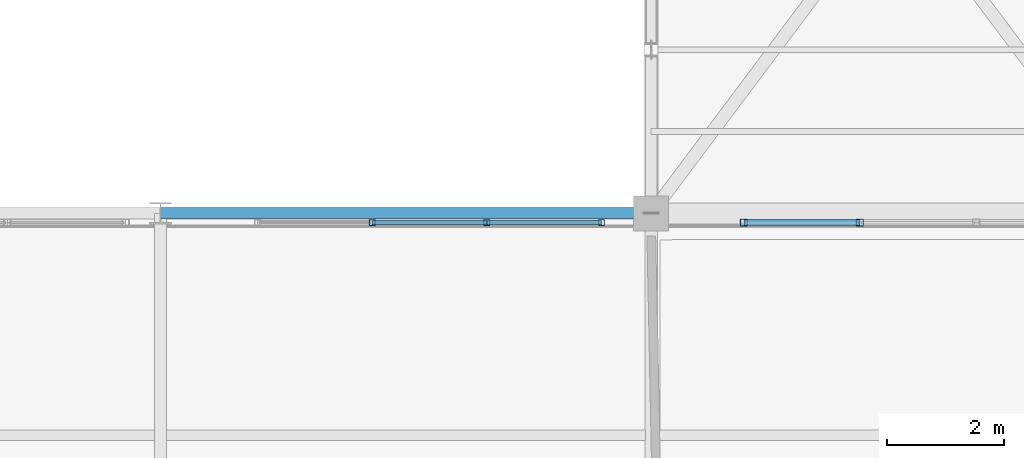
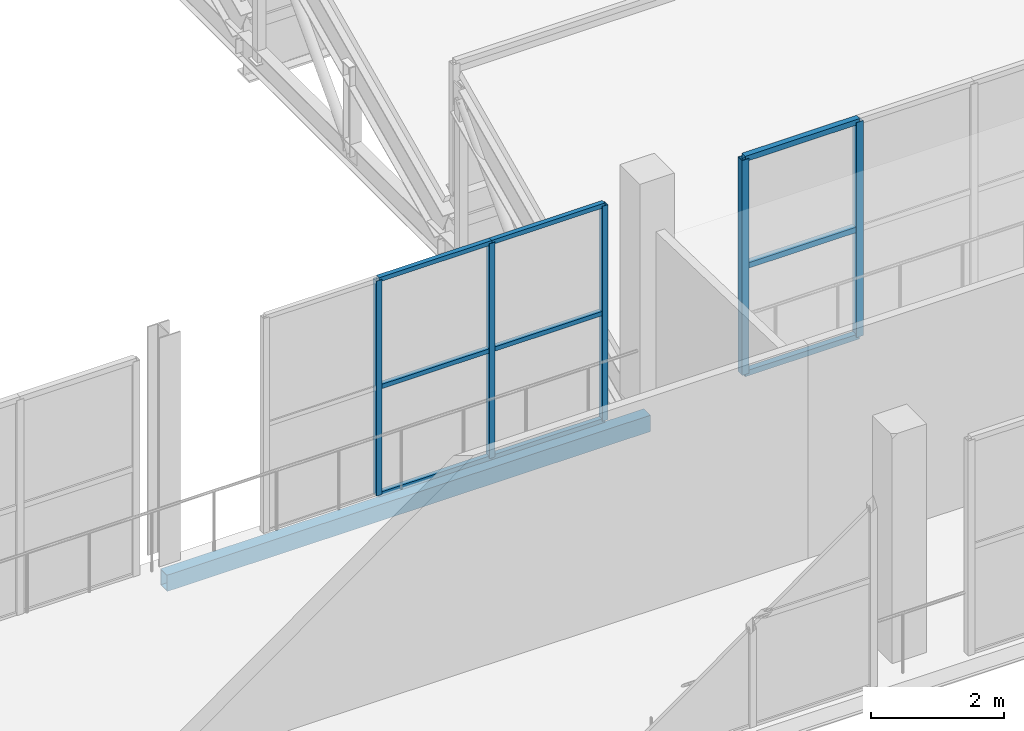
# One storey, part 65 of 217: 14 members, 1 beam, 2 elements without a shape of their own.
"""IFC4 building model written with IfcOpenShell, lengths in metres."""

from ifc_helpers import new_model, si_unit, direction, frame, origin, origin_2d, place, context, subcontext, project, spatial, hollow_rectangle, extrude, material, material_profile, profile_set, type_object, element, aggregate, save


model = new_model("IFC4")

# Units and contexts
model_context = context("Model", 3, precision=1e-05, world=origin(), true_north=direction((0.0, 1.0)))
body_context = subcontext(model_context, "Body", "Model", "MODEL_VIEW")
ifc_project = project(units=[si_unit("LENGTHUNIT", "METRE"), si_unit("AREAUNIT", "SQUARE_METRE"), si_unit("VOLUMEUNIT", "CUBIC_METRE"), si_unit("PLANEANGLEUNIT", "RADIAN"), si_unit("MASSUNIT", "GRAM", prefix="KILO")], contexts=[model_context])

# Site, building, storey
site_placement = place(None, origin())
site = spatial("IfcSite", under=ifc_project, at=site_placement, CompositionType="ELEMENT")
building_placement = place(site_placement, origin())
building = spatial("IfcBuilding", under=site, at=building_placement, Name="Zuvorla Pavilion Media Centre", CompositionType="ELEMENT")
storey_placement = place(building_placement, frame((0.0, 0.0, 9.60009765625)))
storey = spatial("IfcBuildingStorey", under=building, at=storey_placement, Name="L02", CompositionType="ELEMENT", Elevation=9.60009765625)

# Beam
ifc_material_1 = material(Name="Steel S355", Category="steel")
ifc_material_profile_1 = material_profile(ifc_material_1, hollow_rectangle(XDim=0.199951171875, YDim=0.300048828125, WallThickness=0.012451171875, at=origin_2d()), Name="RHS 300x200x12.5")
ifc_profile_set_1 = profile_set([ifc_material_profile_1], Name="Steel S355")
beam_type = type_object("IfcBeamType", Name="BM-SP-RHS300", PredefinedType="SPANDREL", material=ifc_profile_set_1)
beam_placement = place(storey_placement, frame((58.39990234375, 89.60009765625, -0.418212890625), z_axis=(1.0, 0.0, 0.0), x_axis=(0.0, 1.0, 0.0)))
element("IfcBeam", 1, at=beam_placement, inside=storey, type_object=beam_type, Name="L02 spandrel SP01 880", PredefinedType="SPANDREL", context=body_context, shape_type="SweptSolid", body=[
    extrude(hollow_rectangle(XDim=0.199951171875, YDim=0.300048828125, WallThickness=0.012451171875, at=origin_2d()), origin(), (0.0, 0.0, 1.0), 8.400146484375),
])

# Curtain wall, members
ifc_material_2 = material(Name="Unitised anodised aluminium and solar glass curtain wall", Category="aluminium")
curtain_wall_type_1 = type_object("IfcCurtainWallType", Name="CW-SYS-17", PredefinedType="USERDEFINED", material=ifc_material_2)
curtain_wall_1_placement = place(storey_placement, origin())
curtain_wall_1 = element("IfcCurtainWall", 2, at=curtain_wall_1_placement, inside=storey, type_object=curtain_wall_type_1, Name="L02 curtain wall CW17 22", ObjectType="CURTAIN WALL", PredefinedType="USERDEFINED")
ifc_material_3 = material(Name="Anodised aluminium 6063-T6", Category="aluminium")
ifc_material_profile_2 = material_profile(ifc_material_3, hollow_rectangle(XDim=0.10009765625, YDim=0.10009765625, WallThickness=0.00439453125, at=origin_2d()), Name="ALU MULL 100x100")
ifc_profile_set_2 = profile_set([ifc_material_profile_2], Name="Anodised aluminium 6063-T6")
member_type_1 = type_object("IfcMemberType", Name="CW-MULL-100", PredefinedType="MULLION", material=ifc_profile_set_2)
member_1_placement = place(storey_placement, frame((65.94970703125, 89.43994140625, 0.0), z_axis=(0.0, 0.0, 1.0), x_axis=(1.0, 0.0, 0.0)))
member_1 = element("IfcMember", 3, at=member_1_placement, type_object=member_type_1, Name="CW17 mullion 1", PredefinedType="MULLION", context=body_context, shape_type="SweptSolid", body=[
    extrude(hollow_rectangle(XDim=0.10009765625, YDim=0.10009765625, WallThickness=0.00439453125, at=origin_2d()), origin(), (0.0, 0.0, 1.0), 3.949951171875),
])
member_2_placement = place(storey_placement, frame((63.986572265625, 89.43994140625, 0.0), z_axis=(0.0, 0.0, 1.0), x_axis=(1.0, 0.0, 0.0)))
member_2 = element("IfcMember", 4, at=member_2_placement, type_object=member_type_1, Name="CW17 mullion 2", PredefinedType="MULLION", context=body_context, shape_type="SweptSolid", body=[
    extrude(hollow_rectangle(XDim=0.10009765625, YDim=0.10009765625, WallThickness=0.00439453125, at=origin_2d()), origin(), (0.0, 0.0, 1.0), 3.949951171875),
])
member_3_placement = place(storey_placement, frame((62.023193359375, 89.43994140625, 0.0), z_axis=(0.0, 0.0, 1.0), x_axis=(1.0, 0.0, 0.0)))
member_3 = element("IfcMember", 5, at=member_3_placement, type_object=member_type_1, Name="CW17 mullion 3", PredefinedType="MULLION", context=body_context, shape_type="SweptSolid", body=[
    extrude(hollow_rectangle(XDim=0.10009765625, YDim=0.10009765625, WallThickness=0.00439453125, at=origin_2d()), origin(), (0.0, 0.0, 1.0), 3.949951171875),
])

curtain_wall_type_2 = type_object("IfcCurtainWallType", Name="CW-SYS-16", PredefinedType="USERDEFINED", material=ifc_material_2)
curtain_wall_2_placement = place(storey_placement, origin())
curtain_wall_2 = element("IfcCurtainWall", 6, at=curtain_wall_2_placement, inside=storey, type_object=curtain_wall_type_2, Name="L02 curtain wall CW16 21", ObjectType="CURTAIN WALL", PredefinedType="USERDEFINED")
ifc_material_profile_3 = material_profile(ifc_material_3, hollow_rectangle(XDim=0.1201171875, YDim=0.1201171875, WallThickness=0.0048828125, at=origin_2d()), Name="ALU MULL 120x120")
ifc_profile_set_3 = profile_set([ifc_material_profile_3], Name="Anodised aluminium 6063-T6")
member_type_2 = type_object("IfcMemberType", Name="CW-MULL-120", PredefinedType="MULLION", material=ifc_profile_set_3)
member_4_placement = place(storey_placement, frame((70.373291015625, 89.43994140625, 0.0), z_axis=(0.0, 0.0, 1.0), x_axis=(1.0, 0.0, 0.0)))
member_4 = element("IfcMember", 7, at=member_4_placement, type_object=member_type_2, Name="CW16 mullion 3", PredefinedType="MULLION", context=body_context, shape_type="SweptSolid", body=[
    extrude(hollow_rectangle(XDim=0.1201171875, YDim=0.1201171875, WallThickness=0.0048828125, at=origin_2d()), origin(), (0.0, 0.0, 1.0), 3.949951171875),
])
member_5_placement = place(storey_placement, frame((68.385009765625, 89.43994140625, 0.0), z_axis=(0.0, 0.0, 1.0), x_axis=(1.0, 0.0, 0.0)))
member_5 = element("IfcMember", 8, at=member_5_placement, type_object=member_type_2, Name="CW16 mullion 4", PredefinedType="MULLION", context=body_context, shape_type="SweptSolid", body=[
    extrude(hollow_rectangle(XDim=0.1201171875, YDim=0.1201171875, WallThickness=0.0048828125, at=origin_2d()), origin(), (0.0, 0.0, 1.0), 3.949951171875),
])
ifc_material_profile_4 = material_profile(ifc_material_3, hollow_rectangle(XDim=0.10009765625, YDim=0.10009765625, WallThickness=0.00439453125, at=origin_2d()), Name="ALU TRAN 100x100")
ifc_profile_set_4 = profile_set([ifc_material_profile_4], Name="Anodised aluminium 6063-T6")
member_type_3 = type_object("IfcMemberType", Name="CW-TRAN-100", PredefinedType="USERDEFINED", material=ifc_profile_set_4)
member_6_placement = place(storey_placement, frame((70.373291015625, 89.43994140625, 0.0), z_axis=(-1.0, 0.0, 0.0), x_axis=(0.0, -1.0, 0.0)))
member_6 = element("IfcMember", 9, at=member_6_placement, type_object=member_type_3, Name="CW16 transom 3.1", ObjectType="TRANSOM", PredefinedType="USERDEFINED", context=body_context, shape_type="SweptSolid", body=[
    extrude(hollow_rectangle(XDim=0.10009765625, YDim=0.10009765625, WallThickness=0.00439453125, at=origin_2d()), origin(), (0.0, 0.0, 1.0), 1.98828125),
])
member_7_placement = place(storey_placement, frame((70.373291015625, 89.43994140625, 1.974853515625), z_axis=(-1.0, 0.0, 0.0), x_axis=(0.0, -1.0, 0.0)))
member_7 = element("IfcMember", 10, at=member_7_placement, type_object=member_type_3, Name="CW16 transom 3.2", ObjectType="TRANSOM", PredefinedType="USERDEFINED", context=body_context, shape_type="SweptSolid", body=[
    extrude(hollow_rectangle(XDim=0.10009765625, YDim=0.10009765625, WallThickness=0.00439453125, at=origin_2d()), origin(), (0.0, 0.0, 1.0), 1.98828125),
])
member_8_placement = place(storey_placement, frame((70.373291015625, 89.43994140625, 3.949951171875), z_axis=(-1.0, 0.0, 0.0), x_axis=(0.0, -1.0, 0.0)))
member_8 = element("IfcMember", 11, at=member_8_placement, type_object=member_type_3, Name="CW16 transom 3.3", ObjectType="TRANSOM", PredefinedType="USERDEFINED", context=body_context, shape_type="SweptSolid", body=[
    extrude(hollow_rectangle(XDim=0.10009765625, YDim=0.10009765625, WallThickness=0.00439453125, at=origin_2d()), origin(), (0.0, 0.0, 1.0), 1.98828125),
])
aggregate(curtain_wall_2, [member_4, member_5, member_6, member_7, member_8])

# Member
ifc_material_profile_5 = material_profile(ifc_material_3, hollow_rectangle(XDim=0.080078125, YDim=0.080078125, WallThickness=0.00390625, at=origin_2d()), Name="ALU TRAN 80x80")
ifc_profile_set_5 = profile_set([ifc_material_profile_5], Name="Anodised aluminium 6063-T6")
member_type_4 = type_object("IfcMemberType", Name="CW-TRAN-80", PredefinedType="USERDEFINED", material=ifc_profile_set_5)
member_9_placement = place(storey_placement, frame((65.94970703125, 89.43994140625, 0.0), z_axis=(-1.0, 0.0, 0.0), x_axis=(0.0, -1.0, 0.0)))
member_9 = element("IfcMember", 12, at=member_9_placement, type_object=member_type_4, Name="CW17 transom 1.1", ObjectType="TRANSOM", PredefinedType="USERDEFINED", context=body_context, shape_type="SweptSolid", body=[
    extrude(hollow_rectangle(XDim=0.080078125, YDim=0.080078125, WallThickness=0.00390625, at=origin_2d()), origin(), (0.0, 0.0, 1.0), 1.963134765625),
])

member_10_placement = place(storey_placement, frame((65.94970703125, 89.43994140625, 1.974853515625), z_axis=(-1.0, 0.0, 0.0), x_axis=(0.0, -1.0, 0.0)))
member_10 = element("IfcMember", 13, at=member_10_placement, type_object=member_type_4, Name="CW17 transom 1.2", ObjectType="TRANSOM", PredefinedType="USERDEFINED", context=body_context, shape_type="SweptSolid", body=[
    extrude(hollow_rectangle(XDim=0.080078125, YDim=0.080078125, WallThickness=0.00390625, at=origin_2d()), origin(), (0.0, 0.0, 1.0), 1.963134765625),
])

member_11_placement = place(storey_placement, frame((65.94970703125, 89.43994140625, 3.949951171875), z_axis=(-1.0, 0.0, 0.0), x_axis=(0.0, -1.0, 0.0)))
member_11 = element("IfcMember", 14, at=member_11_placement, type_object=member_type_4, Name="CW17 transom 1.3", ObjectType="TRANSOM", PredefinedType="USERDEFINED", context=body_context, shape_type="SweptSolid", body=[
    extrude(hollow_rectangle(XDim=0.080078125, YDim=0.080078125, WallThickness=0.00390625, at=origin_2d()), origin(), (0.0, 0.0, 1.0), 1.963134765625),
])

member_12_placement = place(storey_placement, frame((63.986572265625, 89.43994140625, 0.0), z_axis=(-1.0, 0.0, 0.0), x_axis=(0.0, -1.0, 0.0)))
member_12 = element("IfcMember", 15, at=member_12_placement, type_object=member_type_4, Name="CW17 transom 2.1", ObjectType="TRANSOM", PredefinedType="USERDEFINED", context=body_context, shape_type="SweptSolid", body=[
    extrude(hollow_rectangle(XDim=0.080078125, YDim=0.080078125, WallThickness=0.00390625, at=origin_2d()), origin(), (0.0, 0.0, 1.0), 1.96337890625),
])

member_13_placement = place(storey_placement, frame((63.986572265625, 89.43994140625, 1.974853515625), z_axis=(-1.0, 0.0, 0.0), x_axis=(0.0, -1.0, 0.0)))
member_13 = element("IfcMember", 16, at=member_13_placement, type_object=member_type_4, Name="CW17 transom 2.2", ObjectType="TRANSOM", PredefinedType="USERDEFINED", context=body_context, shape_type="SweptSolid", body=[
    extrude(hollow_rectangle(XDim=0.080078125, YDim=0.080078125, WallThickness=0.00390625, at=origin_2d()), origin(), (0.0, 0.0, 1.0), 1.96337890625),
])

member_14_placement = place(storey_placement, frame((63.986572265625, 89.43994140625, 3.949951171875), z_axis=(-1.0, 0.0, 0.0), x_axis=(0.0, -1.0, 0.0)))
member_14 = element("IfcMember", 17, at=member_14_placement, type_object=member_type_4, Name="CW17 transom 2.3", ObjectType="TRANSOM", PredefinedType="USERDEFINED", context=body_context, shape_type="SweptSolid", body=[
    extrude(hollow_rectangle(XDim=0.080078125, YDim=0.080078125, WallThickness=0.00390625, at=origin_2d()), origin(), (0.0, 0.0, 1.0), 1.96337890625),
])

aggregate(curtain_wall_1, [member_1, member_2, member_3, member_9, member_10, member_11, member_12, member_13, member_14])

save(model, "model.ifc")
